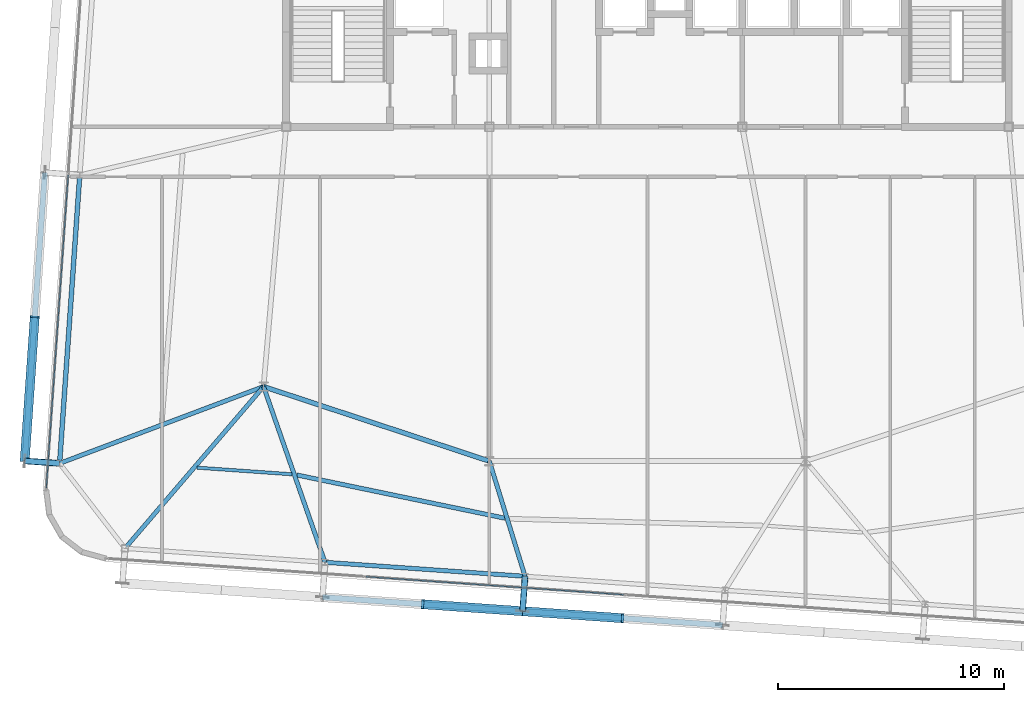
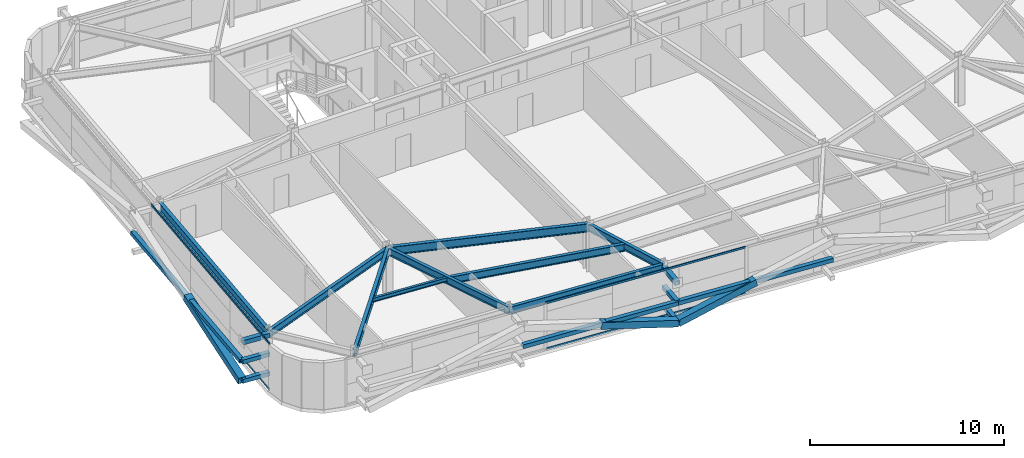
# One storey, part 8 of 39: 16 members, 9 beams, 2 elements without a shape of their own.
"""IFC4 building model written with IfcOpenShell, lengths in metres."""

import ifcopenshell
import ifcopenshell.guid

model = None  # the IFC model being written
_history = None  # IfcOwnerHistory: only IFC2X3 demands one
_inside = {}  # id of a spatial element -> (the spatial element, [elements in it])
_under = {}  # id of a project, library or spatial element -> (it, [spatial elements below it])
_declared = {}  # id of a project -> (the project, [libraries it declares])
_typed = {}  # id of a type object -> (the type object, [elements of that type])
_made_of = {}  # id of a material, layer set ... -> (it, [elements and type objects made of it])


def new_model(schema):
    """Start an empty IFC model of exactly this schema.

    Asked for "IFC4X3", IfcOpenShell would pick the latest addendum, in which some entities
    have other attributes; the version numbers below select the first issue.
    IFC2X3 requires an IfcOwnerHistory on every rooted entity: one is made here for all.
    """
    global model, _history
    if schema == "IFC4X3":
        model = ifcopenshell.file(schema_version=(4, 3, 0, 0))
    else:
        model = ifcopenshell.file(schema=schema)
    _inside.clear()
    _under.clear()
    _declared.clear()
    _typed.clear()
    _made_of.clear()
    _history = None
    if model.schema == "IFC2X3":
        org = make("IfcOrganization", Name="unknown")
        user = make(
            "IfcPersonAndOrganization",
            ThePerson=make("IfcPerson", FamilyName="unknown"),
            TheOrganization=org,
        )
        app = make(
            "IfcApplication",
            ApplicationDeveloper=org,
            Version="unknown",
            ApplicationFullName="unknown",
            ApplicationIdentifier="unknown",
        )
        _history = make(
            "IfcOwnerHistory",
            OwningUser=user,
            OwningApplication=app,
            ChangeAction="ADDED",
            CreationDate=0,
        )
    return model


def make(cls, **values):
    """One entity of the class cls with the attributes given. An attribute that is None is left unset."""
    return model.create_entity(
        cls, **{name: value for name, value in values.items() if value is not None}
    )


def rooted(cls, **values):
    """An entity with a GlobalId (a new one), such as an element, a storey or a relation."""
    return make(cls, GlobalId=ifcopenshell.guid.new(), OwnerHistory=_history, **values)


def si_unit(unit_type, name, prefix=None):
    """IfcSIUnit, for example si_unit("LENGTHUNIT", "METRE", prefix="MILLI")."""
    return make("IfcSIUnit", UnitType=unit_type, Prefix=prefix, Name=name)


def assignment(units):
    """IfcUnitAssignment: the units of a project."""
    return None if units is None else make("IfcUnitAssignment", Units=units)


def point(xyz):
    """IfcCartesianPoint."""
    return None if xyz is None else make("IfcCartesianPoint", Coordinates=xyz)


def direction(xyz):
    """IfcDirection."""
    return None if xyz is None else make("IfcDirection", DirectionRatios=xyz)


def frame(location, z_axis=None, x_axis=None):
    """IfcAxis2Placement3D, a coordinate frame: its origin and axes. An axis left out is left unset."""
    return make(
        "IfcAxis2Placement3D",
        Location=point(location),
        Axis=direction(z_axis),
        RefDirection=direction(x_axis),
    )


def frame_2d(location, x_axis=None):
    """IfcAxis2Placement2D, a coordinate frame in the plane: its origin and x axis."""
    return make(
        "IfcAxis2Placement2D", Location=point(location), RefDirection=direction(x_axis)
    )


def origin():
    """The frame at (0, 0, 0) with its axes left unset."""
    return frame((0.0, 0.0, 0.0))


def origin_2d():
    """The frame at (0, 0) in the plane with its x axis left unset."""
    return frame_2d((0.0, 0.0))


def place(relative_to, where):
    """IfcLocalPlacement: puts the frame where relative to a parent placement (None: the world)."""
    return make(
        "IfcLocalPlacement", PlacementRelTo=relative_to, RelativePlacement=where
    )


def context(
    kind, dimensions, precision=None, world=None, true_north=None, identifier=None
):
    """IfcGeometricRepresentationContext, for example the 3D "Model" context."""
    return make(
        "IfcGeometricRepresentationContext",
        ContextIdentifier=identifier,
        ContextType=kind,
        CoordinateSpaceDimension=dimensions,
        Precision=precision,
        WorldCoordinateSystem=world,
        TrueNorth=true_north,
    )


def subcontext(parent, identifier, kind, view, scale=None):
    """IfcGeometricRepresentationSubContext, for example "Body" below "Model"."""
    return make(
        "IfcGeometricRepresentationSubContext",
        ContextIdentifier=identifier,
        ContextType=kind,
        ParentContext=parent,
        TargetScale=scale,
        TargetView=view,
    )


def project(units=None, contexts=None):
    """IfcProject with its units and contexts."""
    return rooted(
        "IfcProject",
        Name="project",
        RepresentationContexts=contexts,
        UnitsInContext=assignment(units),
    )


def spatial(cls, under=None, at=None, **own):
    """A site, building, storey or space (cls), placed at a placement, below another one or the project."""
    s = rooted(cls, ObjectPlacement=at, **own)
    if under is not None:
        _under.setdefault(under.id(), (under, []))[1].append(s)
    return s


def profile(cls, at=None, kind="AREA", **sizes):
    """A parametric profile (cls). Its sizes go by their IFC names, for example OverallWidth=200.0."""
    return make(cls, ProfileType=kind, Position=at, **sizes)


def hollow_rectangle(**sizes):
    """IfcRectangleHollowProfileDef."""
    return profile("IfcRectangleHollowProfileDef", **sizes)


def i_section(**sizes):
    """IfcIShapeProfileDef."""
    return profile("IfcIShapeProfileDef", **sizes)


def extrude(swept, where, along, depth):
    """IfcExtrudedAreaSolid: the profile swept, set in the frame where, extruded along a direction by depth."""
    return make(
        "IfcExtrudedAreaSolid",
        SweptArea=swept,
        Position=where,
        ExtrudedDirection=direction(along),
        Depth=depth,
    )


def shape(context_of_items, identifier, shape_type, items):
    """IfcShapeRepresentation: the items that make up one representation, for example the "Body"."""
    return make(
        "IfcShapeRepresentation",
        ContextOfItems=context_of_items,
        RepresentationIdentifier=identifier,
        RepresentationType=shape_type,
        Items=items,
    )


def source(mapping_origin, context_of_items, identifier, shape_type, items):
    """IfcRepresentationMap: a shape defined once, which mapped items show again and again."""
    return make(
        "IfcRepresentationMap",
        MappingOrigin=mapping_origin,
        MappedRepresentation=shape(context_of_items, identifier, shape_type, items),
    )


def transform(
    local_origin,
    x_axis=None,
    y_axis=None,
    z_axis=None,
    scale=None,
    scale2=None,
    scale3=None,
    uniform=True,
):
    """IfcCartesianTransformationOperator3D, or its non-uniform kind. x_axis, y_axis, z_axis: its Axis1, 2, 3."""
    if uniform:
        return make(
            "IfcCartesianTransformationOperator3D",
            Axis1=direction(x_axis),
            Axis2=direction(y_axis),
            LocalOrigin=point(local_origin),
            Scale=scale,
            Axis3=direction(z_axis),
        )
    return make(
        "IfcCartesianTransformationOperator3DnonUniform",
        Axis1=direction(x_axis),
        Axis2=direction(y_axis),
        LocalOrigin=point(local_origin),
        Scale=scale,
        Axis3=direction(z_axis),
        Scale2=scale2,
        Scale3=scale3,
    )


def mapped(mapping_source, mapping_target):
    """IfcMappedItem: shows the shape of a source again, moved by a transform."""
    return make(
        "IfcMappedItem", MappingSource=mapping_source, MappingTarget=mapping_target
    )


def material(Name=None, Category=None):
    """IfcMaterial."""
    return make("IfcMaterial", Name=Name, Category=Category)


def layer(
    of_material, thickness, ventilated=None, Name=None, Category=None, Priority=None
):
    """IfcMaterialLayer: one layer of a wall or slab, of a material (None: an air gap)."""
    return make(
        "IfcMaterialLayer",
        Material=of_material,
        LayerThickness=thickness,
        IsVentilated=ventilated,
        Name=Name,
        Category=Category,
        Priority=Priority,
    )


def layer_set(layers, Name=None):
    """IfcMaterialLayerSet."""
    return make("IfcMaterialLayerSet", MaterialLayers=layers, LayerSetName=Name)


def material_profile(
    of_material, cross_section, Name=None, Category=None, Priority=None
):
    """IfcMaterialProfile: a cross section and its material."""
    return make(
        "IfcMaterialProfile",
        Name=Name,
        Material=of_material,
        Profile=cross_section,
        Priority=Priority,
        Category=Category,
    )


def profile_set(profiles, Name=None, composite=None):
    """IfcMaterialProfileSet."""
    return make(
        "IfcMaterialProfileSet",
        Name=Name,
        MaterialProfiles=profiles,
        CompositeProfile=composite,
    )


def made_of(thing, what):
    """Note that an element or type object is made of a material, layer set ...; save() writes the relation."""
    if what is not None:
        _made_of.setdefault(what.id(), (what, []))[1].append(thing)
    return thing


def type_object(cls, material=None, **own):
    """A type object (cls), such as IfcWallType, which elements share."""
    return made_of(rooted(cls, **own), material)


def element(
    cls,
    number,
    at=None,
    inside=None,
    cuts=None,
    type_object=None,
    material=None,
    context=None,
    identifier="Body",
    shape_type=None,
    held_by="IfcProductDefinitionShape",
    body=None,
    shapes=None,
    **own,
):
    """One element of the class cls, such as IfcWall. Its Tag is "e" and its number.

    at: its placement. inside: the storey or other place that contains it. cuts: it is an
    opening in that element (IfcRelVoidsElement). A single representation is given by context,
    identifier, shape_type and body (its items); several are given by shapes. held_by: the class
    of the entity that holds the representations. save() writes the other relations.
    """
    e = rooted(cls, Tag="e%d" % number, ObjectPlacement=at, **own)
    if body is not None:
        shapes = [shape(context, identifier, shape_type, body)]
    if shapes is not None:
        e.Representation = make(held_by, Representations=shapes)
    if inside is not None:
        _inside.setdefault(inside.id(), (inside, []))[1].append(e)
    if cuts is not None:
        rooted(
            "IfcRelVoidsElement", RelatingBuildingElement=cuts, RelatedOpeningElement=e
        )
    if type_object is not None:
        _typed.setdefault(type_object.id(), (type_object, []))[1].append(e)
    return made_of(e, material)


def aggregate(whole, parts):
    """IfcRelAggregates: a whole, such as a stair, and the parts it consists of."""
    return rooted("IfcRelAggregates", RelatingObject=whole, RelatedObjects=parts)


def save(model, path):
    """Write the relations noted so far, then the file.

    IfcRelAggregates (storeys below a building ...), IfcRelContainedInSpatialStructure (elements
    in a storey), IfcRelDefinesByType, IfcRelAssociatesMaterial and IfcRelDeclares: one each for
    every whole, place, type object, material and project.
    """
    for whole, parts in _under.values():
        aggregate(whole, parts)
    for where, things in _inside.values():
        rooted(
            "IfcRelContainedInSpatialStructure",
            RelatedElements=things,
            RelatingStructure=where,
        )
    for kind, things in _typed.values():
        rooted("IfcRelDefinesByType", RelatedObjects=things, RelatingType=kind)
    for what, things in _made_of.values():
        rooted("IfcRelAssociatesMaterial", RelatedObjects=things, RelatingMaterial=what)
    for by, libraries in _declared.values():
        rooted("IfcRelDeclares", RelatingContext=by, RelatedDefinitions=libraries)
    model.write(path)


model = new_model("IFC4")

# Units and contexts
model_context = context("Model", 3, precision=1e-05, world=origin(), true_north=direction((0.0, 1.0)))
body_context = subcontext(model_context, "Body", "Model", "MODEL_VIEW")
ifc_project = project(units=[si_unit("LENGTHUNIT", "METRE"), si_unit("AREAUNIT", "SQUARE_METRE"), si_unit("VOLUMEUNIT", "CUBIC_METRE"), si_unit("PLANEANGLEUNIT", "RADIAN"), si_unit("MASSUNIT", "GRAM", prefix="KILO")], contexts=[model_context])

# Site, building, storey
site_placement = place(None, origin())
site = spatial("IfcSite", under=ifc_project, at=site_placement, CompositionType="ELEMENT")
building_placement = place(site_placement, origin())
building = spatial("IfcBuilding", under=site, at=building_placement, Name="Taldren Reach Tower", CompositionType="ELEMENT")
storey_placement = place(building_placement, frame((0.0, 0.0, 151.89990234375)))
storey = spatial("IfcBuildingStorey", under=building, at=storey_placement, Name="L46", CompositionType="ELEMENT", Elevation=151.89990234375)

# Beam
ifc_material_1 = material(Name="Steel Gr 350 (350PLUS)", Category="steel")
ifc_material_profile_1 = material_profile(ifc_material_1, i_section(OverallWidth=0.208984375, OverallDepth=0.532958984375, WebThickness=0.01025390625, FlangeThickness=0.015625, at=origin_2d()), Name="530UB92.4")
ifc_profile_set_1 = profile_set([ifc_material_profile_1], Name="Steel Gr 350 (350PLUS)")
beam_type_1 = type_object("IfcBeamType", Name="BM-UB530A", PredefinedType="BEAM", material=ifc_profile_set_1)
shared_shape_1 = source(origin(), body_context, "Body", "SweptSolid", [
    extrude(i_section(OverallWidth=0.208984375, OverallDepth=0.532958984375, WebThickness=0.01025390625, FlangeThickness=0.015625, at=origin_2d()), origin(), (0.0, 0.0, 1.0), 10.530517578125),
])
beam_1_placement = place(storey_placement, frame((18.0, 12.5, 2.66357421875), z_axis=(0.949627269203, -0.313381635689, 0.0), x_axis=(0.313381635689, 0.949627269203, 0.0)))
element("IfcBeam", 1, at=beam_1_placement, inside=storey, type_object=beam_type_1, Name="Core-spine girder L46-SP10", PredefinedType="BEAM", context=body_context, shape_type="MappedRepresentation", body=[
    mapped(shared_shape_1, transform((0.0, 0.0, 0.0), scale=1.0)),
])

# Members
ifc_material_2 = material(Name="Steel Gr 450 (C450L0)", Category="steel")
ifc_material_profile_2 = material_profile(ifc_material_2, hollow_rectangle(XDim=0.27490234375, YDim=0.27490234375, WallThickness=0.00927734375, at=origin_2d()), Name="275x275x9.3SHS")
ifc_profile_set_2 = profile_set([ifc_material_profile_2], Name="Steel Gr 450 (C450L0)")
member_type_1 = type_object("IfcMemberType", Name="MB-TIE273", PredefinedType="STRUT", material=ifc_profile_set_2)
shared_shape_2 = source(origin(), body_context, "Body", "SweptSolid", [
    extrude(hollow_rectangle(XDim=0.27490234375, YDim=0.27490234375, WallThickness=0.00927734375, at=origin_2d()), origin(), (0.0, 0.0, 1.0), 1.5498046875),
])
member_1_placement = place(storey_placement, frame((8.96875, 9.099609375, 2.650146484375), z_axis=(-0.997573320145, 0.069623781384, 0.0), x_axis=(-0.069623781384, -0.997573320145, 0.0)))
element("IfcMember", 2, at=member_1_placement, inside=storey, type_object=member_type_1, Name="Exoskeleton diaphragm tie strut B3-W1 L46", PredefinedType="STRUT", context=body_context, shape_type="MappedRepresentation", body=[
    mapped(shared_shape_2, transform((0.0, 0.0, 0.0), scale=1.0)),
])
ifc_material_3 = material(Name="Steel Gr 350 (C350L0)", Category="steel")
ifc_material_profile_3 = material_profile(ifc_material_3, hollow_rectangle(XDim=0.25, YDim=0.25, WallThickness=0.010009765625, at=origin_2d()), Name="250x250x10.0SHS")
ifc_profile_set_3 = profile_set([ifc_material_profile_3], Name="Steel Gr 350 (C350L0)")
member_type_2 = type_object("IfcMemberType", Name="MB-POST250", PredefinedType="POST", material=ifc_profile_set_3)
shared_shape_3 = source(origin(), body_context, "Body", "SweptSolid", [
    extrude(hollow_rectangle(XDim=0.25, YDim=0.25, WallThickness=0.010009765625, at=origin_2d()), origin(), (0.0, 0.0, 1.0), 1.5498046875),
])
for number, where, z_axis, x_axis, name in (
    (3, (8.96875, 9.099609375, 0.22021484375), (-0.997573320145, 0.069623781384, 0.0), (-0.069623781384, -0.997573320145, 0.0), "Exoskeleton base diaphragm tie strut B3-W1 L46"),
    (4, (8.96875, 9.099609375, 1.43505859375), (-0.997573320145, 0.069623781384, 0.0), (-0.069623781384, -0.997573320145, 0.0), "Exoskeleton mid-tier diaphragm tie B3-W1 L46"),
):
    element("IfcMember", number, at=place(storey_placement, frame(where, z_axis=z_axis, x_axis=x_axis)), inside=storey, type_object=member_type_2, Name=name, PredefinedType="POST", context=body_context, shape_type="MappedRepresentation", body=[
        mapped(shared_shape_3, transform((0.0, 0.0, 0.0), scale=1.0)),
    ])
shared_shape_4 = source(origin(), body_context, "Body", "SweptSolid", [
    extrude(hollow_rectangle(XDim=0.27490234375, YDim=0.27490234375, WallThickness=0.00927734375, at=origin_2d()), origin(), (0.0, 0.0, 1.0), 1.550048828125),
])
member_2_placement = place(storey_placement, frame((29.580322265625, 4.099609375, 2.650146484375), z_axis=(-0.06976957191, -0.99756313426, 0.0), x_axis=(0.99756313426, -0.06976957191, 0.0)))
element("IfcMember", 5, at=member_2_placement, inside=storey, type_object=member_type_1, Name="Exoskeleton diaphragm tie strut B3-S3 L46", PredefinedType="STRUT", context=body_context, shape_type="MappedRepresentation", body=[
    mapped(shared_shape_4, transform((0.0, 0.0, 0.0), scale=1.0)),
])
shared_shape_5 = source(origin(), body_context, "Body", "SweptSolid", [
    extrude(hollow_rectangle(XDim=0.25, YDim=0.25, WallThickness=0.010009765625, at=origin_2d()), origin(), (0.0, 0.0, 1.0), 1.550048828125),
])
for number, where, z_axis, x_axis, name in (
    (6, (29.580322265625, 4.099609375, 0.22021484375), (-0.06976957191, -0.99756313426, 0.0), (0.99756313426, -0.06976957191, 0.0), "Exoskeleton base diaphragm tie strut B3-S3 L46"),
    (7, (29.580322265625, 4.099609375, 1.43505859375), (-0.06976957191, -0.99756313426, 0.0), (0.99756313426, -0.06976957191, 0.0), "Exoskeleton mid-tier diaphragm tie B3-S3 L46"),
):
    element("IfcMember", number, at=place(storey_placement, frame(where, z_axis=z_axis, x_axis=x_axis)), inside=storey, type_object=member_type_2, Name=name, PredefinedType="POST", context=body_context, shape_type="MappedRepresentation", body=[
        mapped(shared_shape_5, transform((0.0, 0.0, 0.0), scale=1.0)),
    ])

# Beams
ifc_material_profile_4 = material_profile(ifc_material_1, i_section(OverallWidth=0.18994140625, OverallDepth=0.4541015625, WebThickness=0.008544921875, FlangeThickness=0.0126953125, at=origin_2d()), Name="460UB67.1")
ifc_profile_set_4 = profile_set([ifc_material_profile_4], Name="Steel Gr 350 (350PLUS)")
beam_type_2 = type_object("IfcBeamType", Name="SP-UB460B", PredefinedType="SPANDREL", material=ifc_profile_set_4)
shared_shape_6 = source(origin(), body_context, "Body", "SweptSolid", [
    extrude(i_section(OverallWidth=0.18994140625, OverallDepth=0.4541015625, WebThickness=0.008544921875, FlangeThickness=0.0126953125, at=origin_2d()), origin(), (0.0, 0.0, 1.0), 8.880126953125),
])
beam_2_placement = place(storey_placement, frame((20.721923828125, 4.718994140625, 2.703125), z_axis=(0.997564479639, -0.069750333063, 0.0), x_axis=(0.069750333063, 0.997564479639, 0.0)))
element("IfcBeam", 8, at=beam_2_placement, inside=storey, type_object=beam_type_2, Name="Perimeter spandrel B3 S2-S3 L46", PredefinedType="SPANDREL", context=body_context, shape_type="MappedRepresentation", body=[
    mapped(shared_shape_6, transform((0.0, 0.0, 0.0), scale=1.0)),
])
ifc_material_profile_5 = material_profile(ifc_material_1, i_section(OverallWidth=0.208984375, OverallDepth=0.528076171875, WebThickness=0.009521484375, FlangeThickness=0.01318359375, at=origin_2d()), Name="530UB82.0")
ifc_profile_set_5 = profile_set([ifc_material_profile_5], Name="Steel Gr 350 (350PLUS)")
beam_type_3 = type_object("IfcBeamType", Name="SP-UB530B", PredefinedType="SPANDREL", material=ifc_profile_set_5)
shared_shape_7 = source(origin(), body_context, "Body", "SweptSolid", [
    extrude(i_section(OverallWidth=0.208984375, OverallDepth=0.528076171875, WebThickness=0.009521484375, FlangeThickness=0.01318359375, at=origin_2d()), origin(), (0.0, 0.0, 1.0), 12.800048828125),
])
beam_3_placement = place(storey_placement, frame((9.86181640625, 21.868408203125, 2.666015625), z_axis=(-0.069770857464, -0.997563044348, 0.0), x_axis=(0.997563044348, -0.069770857464, 0.0)))
element("IfcBeam", 9, at=beam_3_placement, inside=storey, type_object=beam_type_3, Name="Perimeter spandrel B3 W2-W1 L46", PredefinedType="SPANDREL", context=body_context, shape_type="MappedRepresentation", body=[
    mapped(shared_shape_7, transform((0.0, 0.0, 0.0), scale=1.0)),
])
ifc_material_profile_6 = material_profile(ifc_material_1, i_section(OverallWidth=0.19091796875, OverallDepth=0.4599609375, WebThickness=0.010009765625, FlangeThickness=0.01611328125, at=origin_2d()), Name="460UB82.1")
ifc_profile_set_6 = profile_set([ifc_material_profile_6], Name="Steel Gr 350 (350PLUS)")
beam_type_4 = type_object("IfcBeamType", Name="BM-UB460A", PredefinedType="BEAM", material=ifc_profile_set_6)
shared_shape_8 = source(origin(), body_context, "Body", "SweptSolid", [
    extrude(i_section(OverallWidth=0.19091796875, OverallDepth=0.4599609375, WebThickness=0.010009765625, FlangeThickness=0.01611328125, at=origin_2d()), origin(), (0.0, 0.0, 1.0), 9.43115234375),
])
beam_4_placement = place(storey_placement, frame((18.0, 12.5, 2.7001953125), z_axis=(-0.650665584965, -0.759364402999, 0.0), x_axis=(0.759364402999, -0.650665584965, 0.0)))
element("IfcBeam", 10, at=beam_4_placement, inside=storey, type_object=beam_type_4, Name="Primary floor girder B3-S1 L46", PredefinedType="BEAM", context=body_context, shape_type="MappedRepresentation", body=[
    mapped(shared_shape_8, transform((0.0, 0.0, 0.0), scale=1.0)),
])
shared_shape_9 = source(origin(), body_context, "Body", "SweptSolid", [
    extrude(i_section(OverallWidth=0.19091796875, OverallDepth=0.4599609375, WebThickness=0.010009765625, FlangeThickness=0.01611328125, at=origin_2d()), origin(), (0.0, 0.0, 1.0), 8.243408203125),
])
beam_5_placement = place(storey_placement, frame((18.0, 12.5, 2.7001953125), z_axis=(0.330196070713, -0.943912366105, 0.0), x_axis=(0.943912366105, 0.330196070713, 0.0)))
element("IfcBeam", 11, at=beam_5_placement, inside=storey, type_object=beam_type_4, Name="Primary floor girder B3-S2 L46", PredefinedType="BEAM", context=body_context, shape_type="MappedRepresentation", body=[
    mapped(shared_shape_9, transform((0.0, 0.0, 0.0), scale=1.0)),
])
shared_shape_10 = source(origin(), body_context, "Body", "SweptSolid", [
    extrude(i_section(OverallWidth=0.19091796875, OverallDepth=0.4599609375, WebThickness=0.010009765625, FlangeThickness=0.01611328125, at=origin_2d()), origin(), (0.0, 0.0, 1.0), 5.339599609375),
])
beam_6_placement = place(storey_placement, frame((28.0, 9.199951171875, 2.7001953125), z_axis=(0.295964865482, -0.955198826632, 0.0), x_axis=(0.955198826632, 0.295964865482, 0.0)))
element("IfcBeam", 12, at=beam_6_placement, inside=storey, type_object=beam_type_4, Name="Primary floor girder B3-S3 L46", PredefinedType="BEAM", context=body_context, shape_type="MappedRepresentation", body=[
    mapped(shared_shape_10, transform((0.0, 0.0, 0.0), scale=1.0)),
])
shared_shape_11 = source(origin(), body_context, "Body", "SweptSolid", [
    extrude(i_section(OverallWidth=0.19091796875, OverallDepth=0.4599609375, WebThickness=0.010009765625, FlangeThickness=0.01611328125, at=origin_2d()), origin(), (0.0, 0.0, 1.0), 9.650146484375),
])
beam_7_placement = place(storey_placement, frame((18.0, 12.5, 2.7001953125), z_axis=(-0.935862573906, -0.352365212191, 0.0), x_axis=(0.352365212191, -0.935862573906, 0.0)))
element("IfcBeam", 13, at=beam_7_placement, inside=storey, type_object=beam_type_4, Name="Primary floor girder B3-W1 L46", PredefinedType="BEAM", context=body_context, shape_type="MappedRepresentation", body=[
    mapped(shared_shape_11, transform((0.0, 0.0, 0.0), scale=1.0)),
])
ifc_material_4 = material(Name="Steel Gr 300 (300PLUS, 300 MPa)", Category="steel")
ifc_material_profile_7 = material_profile(ifc_material_4, i_section(OverallWidth=0.14599609375, OverallDepth=0.256103515625, WebThickness=0.00634765625, FlangeThickness=0.010986328125, at=origin_2d()), Name="250UB37.3")
ifc_profile_set_7 = profile_set([ifc_material_profile_7], Name="Steel Gr 300 (300PLUS, 300 MPa)")
beam_type_5 = type_object("IfcBeamType", Name="JS-UB250", PredefinedType="JOIST", material=ifc_profile_set_7)
shared_shape_12 = source(origin(), body_context, "Body", "SweptSolid", [
    extrude(i_section(OverallWidth=0.14599609375, OverallDepth=0.256103515625, WebThickness=0.00634765625, FlangeThickness=0.010986328125, at=origin_2d()), origin(), (0.0, 0.0, 1.0), 4.217041015625),
])
beam_8_placement = place(storey_placement, frame((15.050537109375, 8.910888671875, 2.802001953125), z_axis=(0.997563683226, -0.069761722378, 0.0), x_axis=(0.069761722378, 0.997563683226, 0.0)))
element("IfcBeam", 14, at=beam_8_placement, inside=storey, type_object=beam_type_5, Name="Secondary floor joist B3 J1 L46", PredefinedType="JOIST", context=body_context, shape_type="MappedRepresentation", body=[
    mapped(shared_shape_12, transform((0.0, 0.0, 0.0), scale=1.0)),
])
shared_shape_13 = source(origin(), body_context, "Body", "SweptSolid", [
    extrude(i_section(OverallWidth=0.19091796875, OverallDepth=0.4599609375, WebThickness=0.010009765625, FlangeThickness=0.01611328125, at=origin_2d()), origin(), (0.0, 0.0, 1.0), 9.410400390625),
])
beam_9_placement = place(storey_placement, frame((19.469970703125, 8.5869140625, 2.7001953125), z_axis=(0.97907399109, -0.20350459447, 0.0), x_axis=(0.20350459447, 0.97907399109, 0.0)))
element("IfcBeam", 15, at=beam_9_placement, inside=storey, type_object=beam_type_4, Name="Secondary floor beam B3 J2 L46", PredefinedType="BEAM", context=body_context, shape_type="MappedRepresentation", body=[
    mapped(shared_shape_13, transform((0.0, 0.0, 0.0), scale=1.0)),
])

# Members
shared_shape_14 = source(origin(), body_context, "Body", "SweptSolid", [
    extrude(hollow_rectangle(XDim=0.25, YDim=0.25, WallThickness=0.010009765625, at=origin_2d()), origin(), (0.0, 0.0, 1.0), 8.880126953125),
])
for number, where, z_axis, x_axis, name in (
    (16, (20.61376953125, 3.1728515625, 1.43505859375), (0.997562566276, -0.06977769246, 0.0), (0.06977769246, 0.997562566276, 0.0), "Exoskeleton mid-height ring chord B3-S2 L46"),
    (17, (29.47216796875, 2.55322265625, 1.43505859375), (0.997564479639, -0.069750333063, 0.0), (0.069750333063, 0.997564479639, 0.0), "Exoskeleton mid-height ring chord B3-S3 L46"),
):
    element("IfcMember", number, at=place(storey_placement, frame(where, z_axis=z_axis, x_axis=x_axis)), inside=storey, type_object=member_type_2, Name=name, PredefinedType="POST", context=body_context, shape_type="MappedRepresentation", body=[
        mapped(shared_shape_14, transform((0.0, 0.0, 0.0), scale=1.0)),
    ])
shared_shape_15 = source(origin(), body_context, "Body", "SweptSolid", [
    extrude(hollow_rectangle(XDim=0.25, YDim=0.25, WallThickness=0.010009765625, at=origin_2d()), origin(), (0.0, 0.0, 1.0), 12.80029296875),
])
member_3_placement = place(storey_placement, frame((7.422607421875, 9.20751953125, 1.43505859375), z_axis=(0.069750549628, 0.997564464497, 0.0), x_axis=(-0.997564464497, 0.069750549628, 0.0)))
element("IfcMember", 18, at=member_3_placement, inside=storey, type_object=member_type_2, Name="Exoskeleton mid-height ring chord B3-W1 L46", PredefinedType="POST", context=body_context, shape_type="MappedRepresentation", body=[
    mapped(shared_shape_15, transform((0.0, 0.0, 0.0), scale=1.0)),
])
ifc_material_profile_8 = material_profile(ifc_material_2, hollow_rectangle(XDim=0.409912109375, YDim=0.409912109375, WallThickness=0.01611328125, at=origin_2d()), Name="410x410x16.0SHS")
ifc_profile_set_8 = profile_set([ifc_material_profile_8], Name="Steel Gr 450 (C450L0)")
member_type_3 = type_object("IfcMemberType", Name="MB-EXO406", PredefinedType="BRACE", material=ifc_profile_set_8)
shared_shape_16 = source(origin(), body_context, "Body", "SweptSolid", [
    extrude(hollow_rectangle(XDim=0.409912109375, YDim=0.409912109375, WallThickness=0.01611328125, at=origin_2d()), origin(), (0.0, 0.0, 1.0), 4.603271484375),
])
for number, where, z_axis, x_axis, name in (
    (19, (29.47216796875, 2.55322265625, 0.22021484375), (-0.962195820062, 0.067303852699, 0.263911718699), (-0.06977769246, -0.997562566276, 0.0), "Exoskeleton Diagrid Brace B3-S2 L46"),
    (20, (29.47216796875, 2.55322265625, 0.22021484375), (0.962199253371, -0.067251055742, 0.263912660389), (0.069722973508, 0.997566392259, 0.0), "Exoskeleton Diagrid Brace B3-S3 L46"),
):
    element("IfcMember", number, at=place(storey_placement, frame(where, z_axis=z_axis, x_axis=x_axis)), inside=storey, type_object=member_type_3, Name=name, PredefinedType="BRACE", context=body_context, shape_type="MappedRepresentation", body=[
        mapped(shared_shape_16, transform((0.0, 0.0, 0.0), scale=1.0)),
    ])
shared_shape_17 = source(origin(), body_context, "Body", "SweptSolid", [
    extrude(hollow_rectangle(XDim=0.409912109375, YDim=0.409912109375, WallThickness=0.01611328125, at=origin_2d()), origin(), (0.0, 0.0, 1.0), 6.514404296875),
])
member_4_placement = place(storey_placement, frame((7.422607421875, 9.20751953125, 0.22021484375), z_axis=(0.068545605936, 0.980063499638, 0.186486022492), x_axis=(-0.997563137195, 0.069769529958, 0.0)))
element("IfcMember", 21, at=member_4_placement, inside=storey, type_object=member_type_3, Name="Exoskeleton Diagrid Brace B3-W1 L46", PredefinedType="BRACE", context=body_context, shape_type="MappedRepresentation", body=[
    mapped(shared_shape_17, transform((0.0, 0.0, 0.0), scale=1.0)),
])

# Curtain wall, members
ifc_material_5 = material(Name="Aluminium and Low-E Glass Unitised System", Category="aluminium")
ifc_layer = layer(ifc_material_5, 0.159912109375)
ifc_layer_set = layer_set([ifc_layer], Name="Aluminium and Low-E Glass Unitised System")
curtain_wall_type = type_object("IfcCurtainWallType", Name="CW-SYS-4", PredefinedType="NOTDEFINED", material=ifc_layer_set)
curtain_wall_1_placement = place(storey_placement, origin())
curtain_wall_1 = element("IfcCurtainWall", 22, at=curtain_wall_1_placement, inside=storey, type_object=curtain_wall_type, Name="Unitised curtain wall CW-L46-S", PredefinedType="NOTDEFINED")
ifc_material_6 = material(Name="Anodised Aluminium 6063-T6", Category="aluminium")
ifc_material_profile_9 = material_profile(ifc_material_6, hollow_rectangle(XDim=0.054931640625, YDim=0.1201171875, WallThickness=0.0029296875, at=origin_2d()), Name="ALU-120x55x3RHS")
ifc_profile_set_9 = profile_set([ifc_material_profile_9], Name="Anodised Aluminium 6063-T6")
member_type_4 = type_object("IfcMemberType", Name="CW-TRN-135", PredefinedType="USERDEFINED", material=ifc_profile_set_9)
shared_shape_18 = source(origin(), body_context, "Body", "SweptSolid", [
    extrude(hollow_rectangle(XDim=0.054931640625, YDim=0.1201171875, WallThickness=0.0029296875, at=origin_2d()), origin(), (0.0, 0.0, 1.0), 11.429931640625),
])
member_5_placement = place(storey_placement, frame((22.536865234375, 4.080810546875, 0.027587890625), z_axis=(0.997563740938, -0.069760897114, 0.0), x_axis=(0.069760897114, 0.997563740938, 0.0)))
member_5 = element("IfcMember", 23, at=member_5_placement, type_object=member_type_4, Name="CW-4 transom 2.1", ObjectType="TRANSOM", PredefinedType="USERDEFINED", context=body_context, shape_type="MappedRepresentation", body=[
    mapped(shared_shape_18, transform((0.0, 0.0, 0.0), scale=1.0)),
])
member_6_placement = place(storey_placement, frame((22.536865234375, 4.080810546875, 2.902587890625), z_axis=(0.997563740938, -0.069760897114, 0.0), x_axis=(0.069760897114, 0.997563740938, 0.0)))
member_6 = element("IfcMember", 24, at=member_6_placement, type_object=member_type_4, Name="CW-4 transom 2.2", ObjectType="TRANSOM", PredefinedType="USERDEFINED", context=body_context, shape_type="MappedRepresentation", body=[
    mapped(shared_shape_18, transform((0.0, 0.0, 0.0), scale=1.0)),
])
aggregate(curtain_wall_1, [member_5, member_6])

curtain_wall_2_placement = place(storey_placement, origin())
curtain_wall_2 = element("IfcCurtainWall", 25, at=curtain_wall_2_placement, inside=storey, type_object=curtain_wall_type, Name="Unitised curtain wall CW-L46-W", PredefinedType="NOTDEFINED")
shared_shape_19 = source(origin(), body_context, "Body", "SweptSolid", [
    extrude(hollow_rectangle(XDim=0.054931640625, YDim=0.1201171875, WallThickness=0.0029296875, at=origin_2d()), origin(), (0.0, 0.0, 1.0), 13.89501953125),
])
member_7_placement = place(storey_placement, frame((9.3505859375, 21.868896484375, 0.027587890625), z_axis=(-0.069754817075, -0.997564166104, 0.0), x_axis=(0.997564166104, -0.069754817075, 0.0)))
member_7 = element("IfcMember", 26, at=member_7_placement, type_object=member_type_4, Name="CW-4 transom 2.1", ObjectType="TRANSOM", PredefinedType="USERDEFINED", context=body_context, shape_type="MappedRepresentation", body=[
    mapped(shared_shape_19, transform((0.0, 0.0, 0.0), scale=1.0)),
])
member_8_placement = place(storey_placement, frame((9.3505859375, 21.868896484375, 2.902587890625), z_axis=(-0.069754817075, -0.997564166104, 0.0), x_axis=(0.997564166104, -0.069754817075, 0.0)))
member_8 = element("IfcMember", 27, at=member_8_placement, type_object=member_type_4, Name="CW-4 transom 2.2", ObjectType="TRANSOM", PredefinedType="USERDEFINED", context=body_context, shape_type="MappedRepresentation", body=[
    mapped(shared_shape_19, transform((0.0, 0.0, 0.0), scale=1.0)),
])
aggregate(curtain_wall_2, [member_7, member_8])

save(model, "model.ifc")
